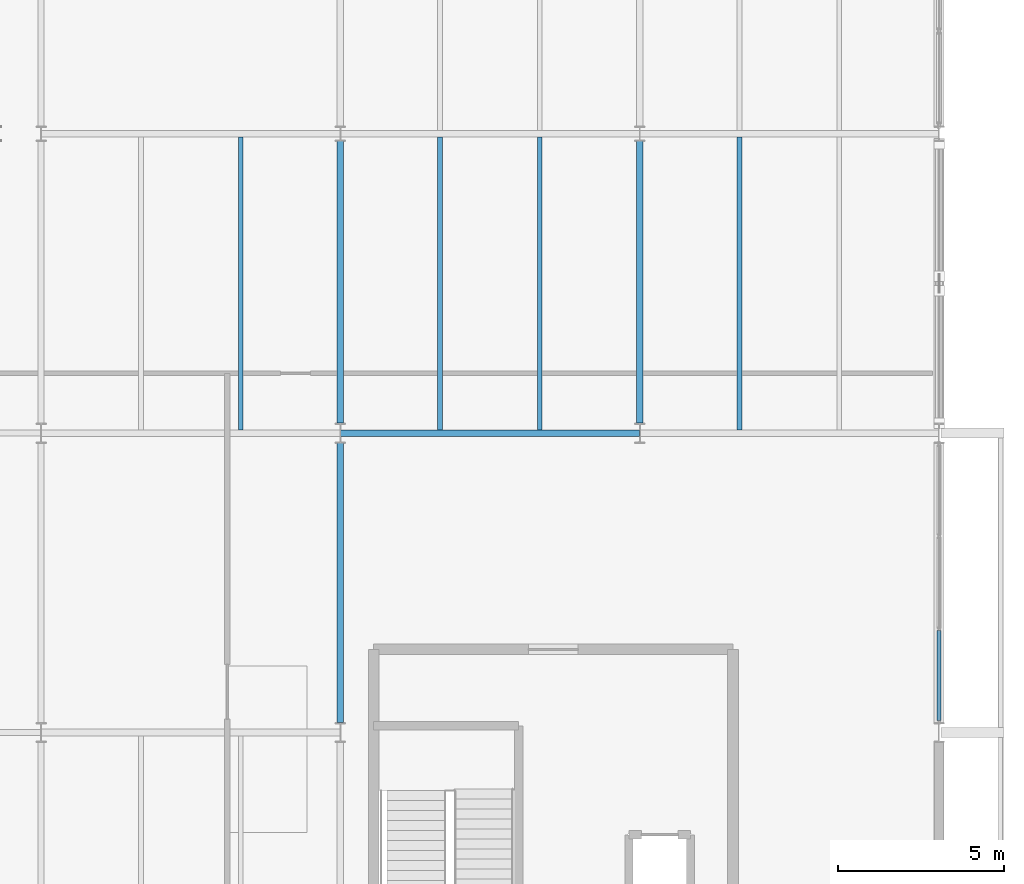
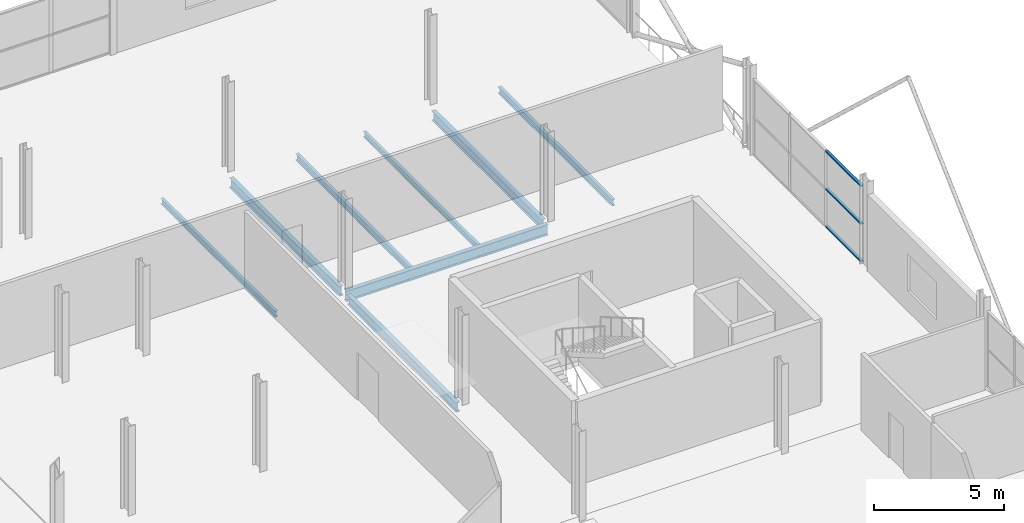
# One storey, part 61 of 103: 8 beams, 3 members, 1 element without a shape of its own.
"""IFC4 building model written with IfcOpenShell, lengths in metres."""

from ifc_helpers import new_model, si_unit, direction, frame, origin, origin_2d, place, context, subcontext, project, spatial, hollow_rectangle, i_section, extrude, material, layer, layer_set, material_profile, profile_set, type_object, element, aggregate, save


model = new_model("IFC4")

# Units and contexts
model_context = context("Model", 3, precision=1e-05, world=origin(), true_north=direction((0.0, 1.0)))
body_context = subcontext(model_context, "Body", "Model", "MODEL_VIEW")
ifc_project = project(units=[si_unit("LENGTHUNIT", "METRE"), si_unit("AREAUNIT", "SQUARE_METRE"), si_unit("VOLUMEUNIT", "CUBIC_METRE"), si_unit("PLANEANGLEUNIT", "RADIAN"), si_unit("MASSUNIT", "GRAM", prefix="KILO")], contexts=[model_context])

# Site, building, storey
site_placement = place(None, origin())
site = spatial("IfcSite", under=ifc_project, at=site_placement, CompositionType="ELEMENT")
building_placement = place(site_placement, origin())
building = spatial("IfcBuilding", under=site, at=building_placement, Name="Deido Ridge Mobility Hub", CompositionType="ELEMENT")
storey_placement = place(building_placement, frame((0.0, 0.0, 12.60009765625)))
storey = spatial("IfcBuildingStorey", under=building, at=storey_placement, Name="L03", CompositionType="ELEMENT", Elevation=12.60009765625)

# Beams
ifc_material_1 = material(Name="Steel S355J2 EN 10025-2", Category="steel")
ifc_material_profile_1 = material_profile(ifc_material_1, i_section(OverallWidth=0.18994140625, OverallDepth=0.449951171875, WebThickness=0.009521484375, FlangeThickness=0.0146484375, FilletRadius=0.02099609375, at=origin_2d()), Name="IPE 450")
ifc_profile_set_1 = profile_set([ifc_material_profile_1], Name="Steel S355J2 EN 10025-2")
beam_type_1 = type_object("IfcBeamType", Name="BM-IPE450", PredefinedType="BEAM", material=ifc_profile_set_1)
beam_1_placement = place(storey_placement, frame((162.0, 45.300048828125, -0.489990234375), z_axis=(0.0, 1.0, 0.0), x_axis=(-1.0, 0.0, 0.0)))
element("IfcBeam", 1, at=beam_1_placement, inside=storey, type_object=beam_type_1, Name="Floor beam B4", PredefinedType="BEAM", context=body_context, shape_type="SweptSolid", body=[
    extrude(i_section(OverallWidth=0.18994140625, OverallDepth=0.449951171875, WebThickness=0.009521484375, FlangeThickness=0.0146484375, FilletRadius=0.02099609375, at=origin_2d()), origin(), (0.0, 0.0, 1.0), 8.39990234375),
])
for number, where, z_axis, x_axis, name in (
    (2, (162.0, 54.300048828125, -0.489990234375), (0.0, 1.0, 0.0), (-1.0, 0.0, 0.0), "Floor beam B4"),
    (3, (171.0, 54.300048828125, -0.489990234375), (0.0, 1.0, 0.0), (-1.0, 0.0, 0.0), "Floor beam B4"),
):
    element("IfcBeam", number, at=place(storey_placement, frame(where, z_axis=z_axis, x_axis=x_axis)), inside=storey, type_object=beam_type_1, Name=name, PredefinedType="BEAM", context=body_context, shape_type="SweptSolid", body=[
        extrude(i_section(OverallWidth=0.18994140625, OverallDepth=0.449951171875, WebThickness=0.009521484375, FlangeThickness=0.0146484375, FilletRadius=0.02099609375, at=origin_2d()), origin(), (0.0, 0.0, 1.0), 8.474853515625),
    ])
ifc_material_profile_2 = material_profile(ifc_material_1, i_section(OverallWidth=0.199951171875, OverallDepth=0.5, WebThickness=0.01025390625, FlangeThickness=0.01611328125, FilletRadius=0.02099609375, at=origin_2d()), Name="IPE 500")
ifc_profile_set_2 = profile_set([ifc_material_profile_2], Name="Steel S355J2 EN 10025-2")
beam_type_2 = type_object("IfcBeamType", Name="BM-IPE500", PredefinedType="BEAM", material=ifc_profile_set_2)
beam_2_placement = place(storey_placement, frame((162.0078125, 54.0, -0.51513671875), z_axis=(1.0, 0.0, 0.0), x_axis=(0.0, 1.0, 0.0)))
element("IfcBeam", 4, at=beam_2_placement, inside=storey, type_object=beam_type_2, Name="Floor beam B3", PredefinedType="BEAM", context=body_context, shape_type="SweptSolid", body=[
    extrude(i_section(OverallWidth=0.199951171875, OverallDepth=0.5, WebThickness=0.01025390625, FlangeThickness=0.01611328125, FilletRadius=0.02099609375, at=origin_2d()), origin(), (0.0, 0.0, 1.0), 8.984375),
])
ifc_material_profile_3 = material_profile(ifc_material_1, i_section(OverallWidth=0.135009765625, OverallDepth=0.27001953125, WebThickness=0.006591796875, FlangeThickness=0.01025390625, FilletRadius=0.014892578125, at=origin_2d()), Name="IPE 270")
ifc_profile_set_3 = profile_set([ifc_material_profile_3], Name="Steel S355J2 EN 10025-2")
beam_type_3 = type_object("IfcBeamType", Name="JST-IPE270", PredefinedType="JOIST", material=ifc_profile_set_3)
for number, where, z_axis, x_axis, name in (
    (5, (159.0, 54.10009765625, -0.400146484375), (0.0, 1.0, 0.0), (-1.0, 0.0, 0.0), "Composite joist J4"),
    (6, (168.0, 54.10009765625, -0.400146484375), (0.0, 1.0, 0.0), (-1.0, 0.0, 0.0), "Composite joist J4"),
):
    element("IfcBeam", number, at=place(storey_placement, frame(where, z_axis=z_axis, x_axis=x_axis)), inside=storey, type_object=beam_type_3, Name=name, PredefinedType="JOIST", context=body_context, shape_type="SweptSolid", body=[
        extrude(i_section(OverallWidth=0.135009765625, OverallDepth=0.27001953125, WebThickness=0.006591796875, FlangeThickness=0.01025390625, FilletRadius=0.014892578125, at=origin_2d()), origin(), (0.0, 0.0, 1.0), 8.7998046875),
    ])
ifc_material_profile_4 = material_profile(ifc_material_1, i_section(OverallWidth=0.14990234375, OverallDepth=0.300048828125, WebThickness=0.007080078125, FlangeThickness=0.0107421875, FilletRadius=0.014892578125, at=origin_2d()), Name="IPE 300")
ifc_profile_set_4 = profile_set([ifc_material_profile_4], Name="Steel S355J2 EN 10025-2")
beam_type_4 = type_object("IfcBeamType", Name="JST-IPE300", PredefinedType="JOIST", material=ifc_profile_set_4)
for number, where, z_axis, x_axis, name in (
    (7, (165.0, 54.10009765625, -0.4150390625), (0.0, 1.0, 0.0), (-1.0, 0.0, 0.0), "Composite joist J3"),
    (8, (174.0, 54.10009765625, -0.4150390625), (0.0, 1.0, 0.0), (-1.0, 0.0, 0.0), "Composite joist J3"),
):
    element("IfcBeam", number, at=place(storey_placement, frame(where, z_axis=z_axis, x_axis=x_axis)), inside=storey, type_object=beam_type_4, Name=name, PredefinedType="JOIST", context=body_context, shape_type="SweptSolid", body=[
        extrude(i_section(OverallWidth=0.14990234375, OverallDepth=0.300048828125, WebThickness=0.007080078125, FlangeThickness=0.0107421875, FilletRadius=0.014892578125, at=origin_2d()), origin(), (0.0, 0.0, 1.0), 8.7998046875),
    ])

# Curtain wall, members
ifc_material_2 = material(Name="Anodised aluminium EN AW-6063 T6", Category="aluminium")
ifc_layer = layer(ifc_material_2, 0.195068359375, Name="Anodised aluminium EN AW-6063 T6")
ifc_layer_set = layer_set([ifc_layer], Name="Anodised aluminium EN AW-6063 T6")
curtain_wall_type = type_object("IfcCurtainWallType", Name="CW-UF-3", PredefinedType="USERDEFINED", material=ifc_layer_set)
curtain_wall_placement = place(storey_placement, origin())
curtain_wall = element("IfcCurtainWall", 9, at=curtain_wall_placement, inside=storey, type_object=curtain_wall_type, Name="Unitised curtain wall CW3", ObjectType="UNITISED FACADE", PredefinedType="USERDEFINED")
ifc_material_profile_5 = material_profile(ifc_material_2, hollow_rectangle(XDim=0.125, YDim=0.06005859375, WallThickness=0.00390625, at=origin_2d()), Name="RHS 125x60x4")
ifc_profile_set_5 = profile_set([ifc_material_profile_5], Name="Anodised aluminium EN AW-6063 T6")
member_type = type_object("IfcMemberType", Name="MEM-TRN-125X60", PredefinedType="USERDEFINED", material=ifc_profile_set_5)
member_1_placement = place(storey_placement, frame((180.0, 45.360107421875, 0.02978515625), z_axis=(0.0, 1.0, 0.0), x_axis=(-1.0, 0.0, 0.0)))
member_1 = element("IfcMember", 10, at=member_1_placement, type_object=member_type, Name="CW3 transom 1.1", ObjectType="TRANSOM", PredefinedType="USERDEFINED", context=body_context, shape_type="SweptSolid", body=[
    extrude(hollow_rectangle(XDim=0.125, YDim=0.06005859375, WallThickness=0.00390625, at=origin_2d()), origin(), (0.0, 0.0, 1.0), 2.7099609375),
])
member_2_placement = place(storey_placement, frame((180.0, 45.360107421875, 1.7998046875), z_axis=(0.0, 1.0, 0.0), x_axis=(-1.0, 0.0, 0.0)))
member_2 = element("IfcMember", 11, at=member_2_placement, type_object=member_type, Name="CW3 transom 1.2", ObjectType="TRANSOM", PredefinedType="USERDEFINED", context=body_context, shape_type="SweptSolid", body=[
    extrude(hollow_rectangle(XDim=0.125, YDim=0.06005859375, WallThickness=0.00390625, at=origin_2d()), origin(), (0.0, 0.0, 1.0), 2.7099609375),
])
member_3_placement = place(storey_placement, frame((180.0, 45.360107421875, 3.56982421875), z_axis=(0.0, 1.0, 0.0), x_axis=(-1.0, 0.0, 0.0)))
member_3 = element("IfcMember", 12, at=member_3_placement, type_object=member_type, Name="CW3 transom 1.3", ObjectType="TRANSOM", PredefinedType="USERDEFINED", context=body_context, shape_type="SweptSolid", body=[
    extrude(hollow_rectangle(XDim=0.125, YDim=0.06005859375, WallThickness=0.00390625, at=origin_2d()), origin(), (0.0, 0.0, 1.0), 2.7099609375),
])
aggregate(curtain_wall, [member_1, member_2, member_3])

save(model, "model.ifc")
